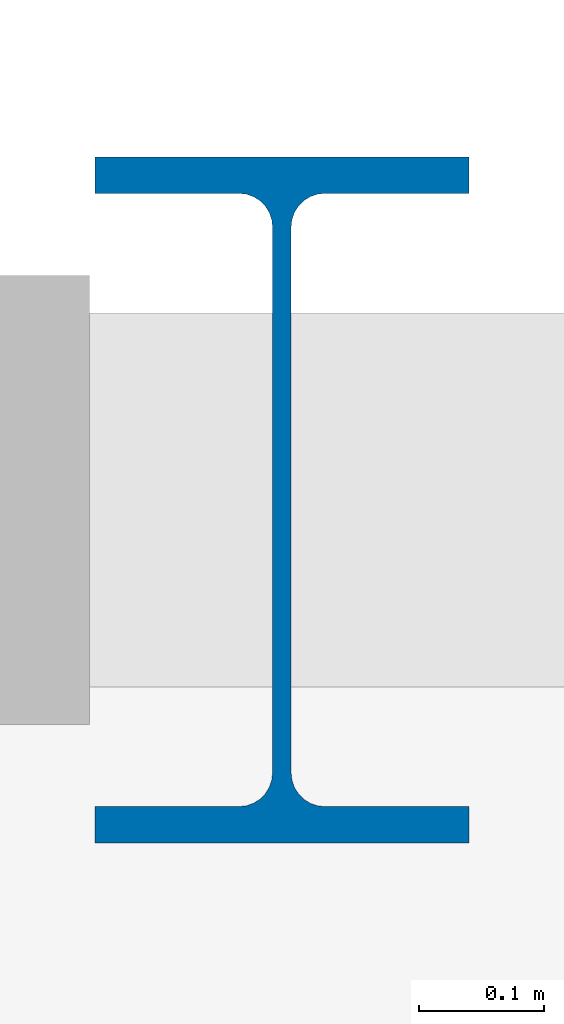
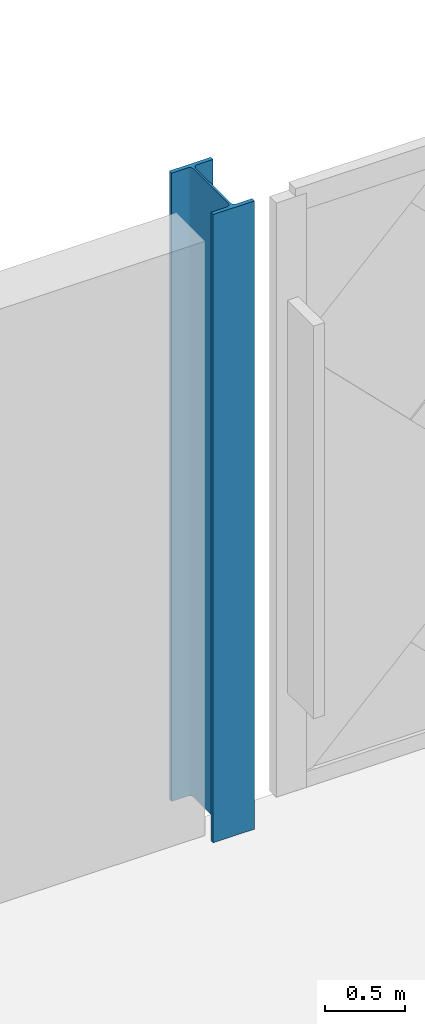
# One storey, part 13 of 77: 1 column.
"""IFC4 building model written with IfcOpenShell, lengths in metres."""

from ifc_helpers import new_model, si_unit, direction, frame, origin, origin_2d, place, context, subcontext, project, spatial, i_section, extrude, material, material_profile, profile_set, type_object, element, save


model = new_model("IFC4")

# Units and contexts
model_context = context("Model", 3, precision=1e-05, world=origin(), true_north=direction((0.0, 1.0)))
body_context = subcontext(model_context, "Body", "Model", "MODEL_VIEW")
ifc_project = project(units=[si_unit("LENGTHUNIT", "METRE"), si_unit("AREAUNIT", "SQUARE_METRE"), si_unit("VOLUMEUNIT", "CUBIC_METRE"), si_unit("PLANEANGLEUNIT", "RADIAN"), si_unit("MASSUNIT", "GRAM", prefix="KILO")], contexts=[model_context])

# Site, building, storey
site_placement = place(None, origin())
site = spatial("IfcSite", under=ifc_project, at=site_placement, CompositionType="ELEMENT")
building_placement = place(site_placement, origin())
building = spatial("IfcBuilding", under=site, at=building_placement, Name="Zevrakil Square Congress Hotel", CompositionType="ELEMENT")
storey_placement = place(building_placement, frame((0.0, 0.0, 9.89990234375)))
storey = spatial("IfcBuildingStorey", under=building, at=storey_placement, Name="L03", CompositionType="ELEMENT", Elevation=9.89990234375)

# Column
ifc_material = material(Name="Steel S355", Category="steel")
ifc_material_profile = material_profile(ifc_material, i_section(OverallWidth=0.300048828125, OverallDepth=0.550048828125, WebThickness=0.014892578125, FlangeThickness=0.029052734375, FilletRadius=0.027099609375, at=origin_2d()), Name="HEB 550")
ifc_profile_set = profile_set([ifc_material_profile], Name="Steel S355")
column_type = type_object("IfcColumnType", Name="COL-HEB550", PredefinedType="COLUMN", material=ifc_profile_set)
column_placement = place(storey_placement, frame((127.199951171875, 112.800048828125, 0.0), z_axis=(0.0, 0.0, 1.0), x_axis=(1.0, 0.0, 0.0)))
element("IfcColumn", 1, at=column_placement, inside=storey, type_object=column_type, Name="L03 column C-202", PredefinedType="COLUMN", context=body_context, shape_type="SweptSolid", body=[
    extrude(i_section(OverallWidth=0.300048828125, OverallDepth=0.550048828125, WebThickness=0.014892578125, FlangeThickness=0.029052734375, FilletRadius=0.027099609375, at=origin_2d()), origin(), (0.0, 0.0, 1.0), 4.800048828125),
])

save(model, "model.ifc")
